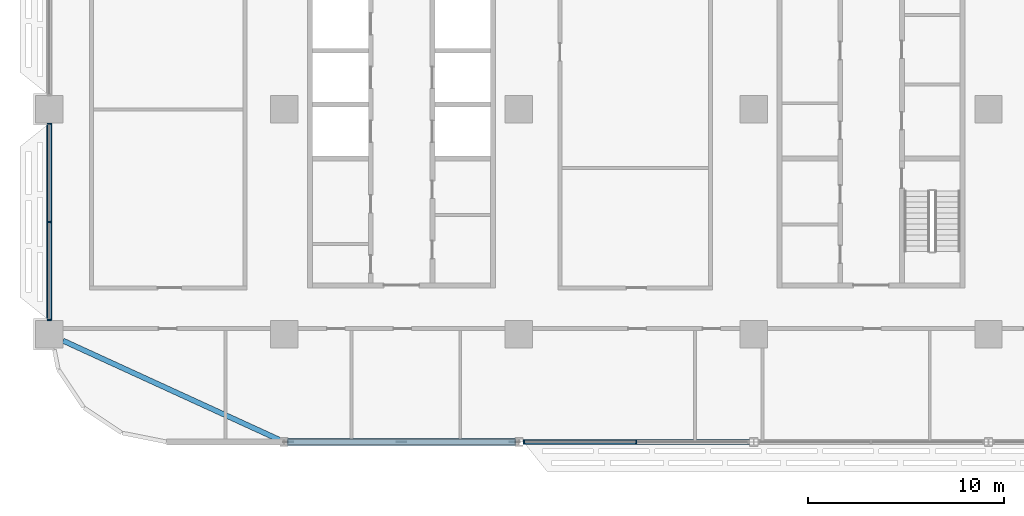
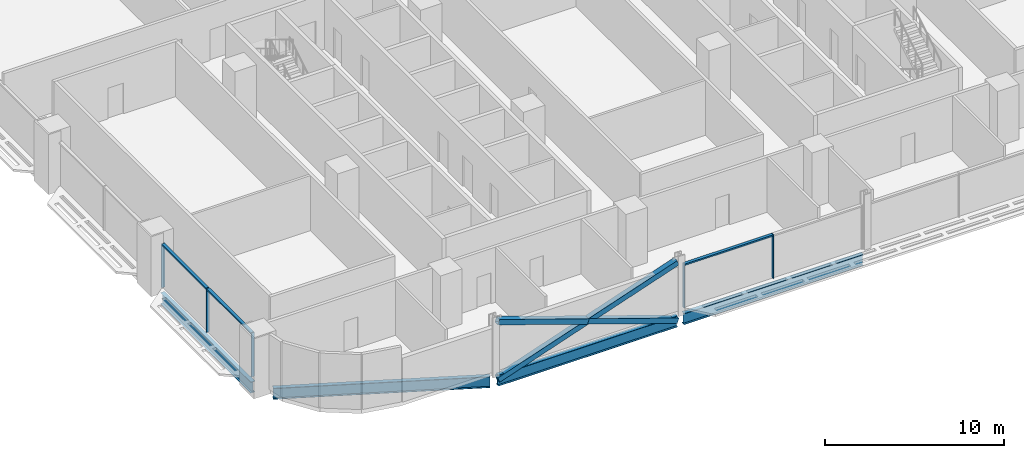
# One storey, part 3 of 29: 11 members, 4 beams, 2 elements without a shape of their own.
"""IFC4 building model written with IfcOpenShell, lengths in metres."""

from ifc_helpers import new_model, si_unit, direction, frame, origin, origin_2d, place, context, subcontext, project, spatial, rectangle, hollow_rectangle, i_section, extrude, material, material_profile, profile_set, type_object, element, aggregate, save


model = new_model("IFC4")

# Units and contexts
model_context = context("Model", 3, precision=1e-05, world=origin(), true_north=direction((0.0, 1.0)))
body_context = subcontext(model_context, "Body", "Model", "MODEL_VIEW")
ifc_project = project(units=[si_unit("LENGTHUNIT", "METRE"), si_unit("AREAUNIT", "SQUARE_METRE"), si_unit("VOLUMEUNIT", "CUBIC_METRE"), si_unit("PLANEANGLEUNIT", "RADIAN"), si_unit("MASSUNIT", "GRAM", prefix="KILO")], contexts=[model_context])

# Site, building, storey
site_placement = place(None, origin())
site = spatial("IfcSite", under=ifc_project, at=site_placement, CompositionType="ELEMENT")
building_placement = place(site_placement, origin())
building = spatial("IfcBuilding", under=site, at=building_placement, Name="Mahtab Terrace Research Tower", CompositionType="ELEMENT")
storey_placement = place(building_placement, frame((0.0, 0.0, 88.89990234375)))
storey = spatial("IfcBuildingStorey", under=building, at=storey_placement, Name="L20", CompositionType="ELEMENT", Elevation=88.89990234375)

# Members
ifc_material_1 = material(Name="Steel ASTM A500 Gr C", Category="steel")
ifc_material_profile_1 = material_profile(ifc_material_1, hollow_rectangle(XDim=0.355712890625, YDim=0.355712890625, WallThickness=0.01904296875, at=origin_2d()), Name="HSS14X14X3/4")
ifc_profile_set_1 = profile_set([ifc_material_profile_1], Name="Steel ASTM A500 Gr C")
member_type_1 = type_object("IfcMemberType", Name="HSS 14x14x3/4 brace XB141434", PredefinedType="BRACE", material=ifc_profile_set_1)
member_1_placement = place(storey_placement, frame((-29.79052734375, -17.0, -0.646728515625), z_axis=(0.946292853795, 0.0, 0.323310740397), x_axis=(0.0, 1.0, 0.0)))
element("IfcMember", 1, at=member_1_placement, inside=storey, type_object=member_type_1, Name="Exoskeleton brace L20 13 a", PredefinedType="BRACE", context=body_context, shape_type="SweptSolid", body=[
    extrude(hollow_rectangle(XDim=0.355712890625, YDim=0.355712890625, WallThickness=0.01904296875, at=origin_2d()), origin(), (0.0, 0.0, 1.0), 12.23828125),
])
for number, where, z_axis, x_axis, name in (
    (2, (-18.20947265625, -17.0, -0.646728515625), (-0.946298956945, 0.0, 0.323292876639), (0.0, -1.0, 0.0), "Exoskeleton brace L20 13 b1"),
    (3, (-24.0, -17.0, 1.33154296875), (-0.946286750388, 0.0, 0.323328603809), (0.0, -1.0, 0.0), "Exoskeleton brace L20 13 b2"),
):
    element("IfcMember", number, at=place(storey_placement, frame(where, z_axis=z_axis, x_axis=x_axis)), inside=storey, type_object=member_type_1, Name=name, PredefinedType="BRACE", context=body_context, shape_type="SweptSolid", body=[
        extrude(hollow_rectangle(XDim=0.355712890625, YDim=0.355712890625, WallThickness=0.01904296875, at=origin_2d()), origin(), (0.0, 0.0, 1.0), 6.119140625),
    ])

# Curtain wall, members
ifc_material_2 = material(Name="Laboratory ribbon curtain wall")
curtain_wall_type = type_object("IfcCurtainWallType", Name="Laboratory ribbon curtain wall", PredefinedType="NOTDEFINED", material=ifc_material_2)
curtain_wall_1_placement = place(storey_placement, origin())
curtain_wall_1 = element("IfcCurtainWall", 4, at=curtain_wall_1_placement, inside=storey, type_object=curtain_wall_type, Name="EN.L20.8.18", PredefinedType="NOTDEFINED")
ifc_material_3 = material(Name="Natural anodised aluminium", Category="aluminium")
ifc_material_profile_2 = material_profile(ifc_material_3, rectangle(XDim=0.199951171875, YDim=0.06494140625, at=origin_2d()), Name="MULLION 65x200")
ifc_profile_set_2 = profile_set([ifc_material_profile_2], Name="Natural anodised aluminium")
member_type_2 = type_object("IfcMemberType", Name="Laboratory ribbon curtain wall mullion", PredefinedType="MULLION", material=ifc_profile_set_2)
member_2_placement = place(storey_placement, frame((-42.0, -0.732421875, 0.0), z_axis=(0.0, 0.0, 1.0), x_axis=(1.0, 0.0, 0.0)))
member_2 = element("IfcMember", 5, at=member_2_placement, type_object=member_type_2, Name="CWL-3 mullion 1", PredefinedType="MULLION", context=body_context, shape_type="SweptSolid", body=[
    extrude(rectangle(XDim=0.199951171875, YDim=0.06494140625, at=origin_2d()), origin(), (0.0, 0.0, 1.0), 3.003173828125),
])
member_3_placement = place(storey_placement, frame((-42.0, -5.75, 0.0), z_axis=(0.0, 0.0, 1.0), x_axis=(1.0, 0.0, 0.0)))
member_3 = element("IfcMember", 6, at=member_3_placement, type_object=member_type_2, Name="CWL-3 mullion 2", PredefinedType="MULLION", context=body_context, shape_type="SweptSolid", body=[
    extrude(rectangle(XDim=0.199951171875, YDim=0.06494140625, at=origin_2d()), origin(), (0.0, 0.0, 1.0), 3.003173828125),
])
member_4_placement = place(storey_placement, frame((-42.0, -10.767578125, 0.0), z_axis=(0.0, 0.0, 1.0), x_axis=(1.0, 0.0, 0.0)))
member_4 = element("IfcMember", 7, at=member_4_placement, type_object=member_type_2, Name="CWL-3 mullion 3", PredefinedType="MULLION", context=body_context, shape_type="SweptSolid", body=[
    extrude(rectangle(XDim=0.199951171875, YDim=0.06494140625, at=origin_2d()), origin(), (0.0, 0.0, 1.0), 3.003173828125),
])

curtain_wall_2_placement = place(storey_placement, origin())
curtain_wall_2 = element("IfcCurtainWall", 8, at=curtain_wall_2_placement, inside=storey, type_object=curtain_wall_type, Name="EN.L20.13.25", PredefinedType="NOTDEFINED")
member_5_placement = place(storey_placement, frame((-17.739501953125, -17.0, 0.0), z_axis=(0.0, 0.0, 1.0), x_axis=(0.0, 1.0, 0.0)))
member_5 = element("IfcMember", 9, at=member_5_placement, type_object=member_type_2, Name="CWL-3 mullion 1", PredefinedType="MULLION", context=body_context, shape_type="SweptSolid", body=[
    extrude(rectangle(XDim=0.199951171875, YDim=0.06494140625, at=origin_2d()), origin(), (0.0, 0.0, 1.0), 3.003173828125),
])
member_6_placement = place(storey_placement, frame((-12.0, -17.0, 0.0), z_axis=(0.0, 0.0, 1.0), x_axis=(0.0, 1.0, 0.0)))
member_6 = element("IfcMember", 10, at=member_6_placement, type_object=member_type_2, Name="CWL-3 mullion 2", PredefinedType="MULLION", context=body_context, shape_type="SweptSolid", body=[
    extrude(rectangle(XDim=0.199951171875, YDim=0.06494140625, at=origin_2d()), origin(), (0.0, 0.0, 1.0), 3.003173828125),
])

# Member
ifc_material_profile_3 = material_profile(ifc_material_3, rectangle(XDim=0.199951171875, YDim=0.10009765625, at=origin_2d()), Name="TRANSOM 100x200")
ifc_profile_set_3 = profile_set([ifc_material_profile_3], Name="Natural anodised aluminium")
member_type_3 = type_object("IfcMemberType", Name="Laboratory ribbon curtain wall transom", PredefinedType="USERDEFINED", material=ifc_profile_set_3)
member_7_placement = place(storey_placement, frame((-42.0, -0.764892578125, 2.953125), z_axis=(0.0, -1.0, 0.0), x_axis=(1.0, 0.0, 0.0)))
member_7 = element("IfcMember", 11, at=member_7_placement, type_object=member_type_3, Name="CWL-3 transom 1", ObjectType="TRANSOM", PredefinedType="USERDEFINED", context=body_context, shape_type="SweptSolid", body=[
    extrude(rectangle(XDim=0.199951171875, YDim=0.10009765625, at=origin_2d()), origin(), (0.0, 0.0, 1.0), 4.95263671875),
])

member_8_placement = place(storey_placement, frame((-42.0, -5.782470703125, 2.953125), z_axis=(0.0, -1.0, 0.0), x_axis=(1.0, 0.0, 0.0)))
member_8 = element("IfcMember", 12, at=member_8_placement, type_object=member_type_3, Name="CWL-3 transom 2", ObjectType="TRANSOM", PredefinedType="USERDEFINED", context=body_context, shape_type="SweptSolid", body=[
    extrude(rectangle(XDim=0.199951171875, YDim=0.10009765625, at=origin_2d()), origin(), (0.0, 0.0, 1.0), 4.95263671875),
])

aggregate(curtain_wall_1, [member_2, member_3, member_4, member_7, member_8])

member_9_placement = place(storey_placement, frame((-17.70703125, -17.0, 2.953125), z_axis=(1.0, 0.0, 0.0), x_axis=(0.0, 1.0, 0.0)))
member_9 = element("IfcMember", 13, at=member_9_placement, type_object=member_type_3, Name="CWL-3 transom 1", ObjectType="TRANSOM", PredefinedType="USERDEFINED", context=body_context, shape_type="SweptSolid", body=[
    extrude(rectangle(XDim=0.199951171875, YDim=0.10009765625, at=origin_2d()), origin(), (0.0, 0.0, 1.0), 5.674560546875),
])

aggregate(curtain_wall_2, [member_5, member_6, member_9])

# Beams
ifc_material_4 = material(Name="Steel ASTM A992 Gr 50", Category="steel")
ifc_material_profile_4 = material_profile(ifc_material_4, i_section(OverallWidth=0.2666015625, OverallDepth=0.7568359375, WebThickness=0.013916015625, FlangeThickness=0.019287109375, at=origin_2d()), Name="W30X108")
ifc_profile_set_4 = profile_set([ifc_material_profile_4], Name="Steel ASTM A992 Gr 50")
beam_type = type_object("IfcBeamType", Name="W30x108 beam BS30108", PredefinedType="BEAM", material=ifc_profile_set_4)
beam_1_placement = place(storey_placement, frame((-42.0, -0.699951171875, -0.71826171875), z_axis=(0.0, -1.0, 0.0), x_axis=(1.0, 0.0, 0.0)))
element("IfcBeam", 14, at=beam_1_placement, inside=storey, type_object=beam_type, Name="Spandrel beam L20 11", PredefinedType="BEAM", context=body_context, shape_type="SweptSolid", body=[
    extrude(i_section(OverallWidth=0.2666015625, OverallDepth=0.7568359375, WebThickness=0.013916015625, FlangeThickness=0.019287109375, at=origin_2d()), origin(), (0.0, 0.0, 1.0), 10.10009765625),
])
beam_2_placement = place(storey_placement, frame((-41.300048828125, -11.82080078125, -0.71826171875), z_axis=(0.909062612141, -0.41665953392, 0.0), x_axis=(0.41665953392, 0.909062612141, 0.0)))
element("IfcBeam", 15, at=beam_2_placement, inside=storey, type_object=beam_type, Name="Spandrel beam L20 12", PredefinedType="BEAM", context=body_context, shape_type="SweptSolid", body=[
    extrude(i_section(OverallWidth=0.2666015625, OverallDepth=0.7568359375, WebThickness=0.013916015625, FlangeThickness=0.019287109375, at=origin_2d()), origin(), (0.0, 0.0, 1.0), 12.199951171875),
])
for number, where, z_axis, x_axis, name in (
    (16, (-29.79052734375, -17.0, -0.71826171875), (1.0, 0.0, 0.0), (0.0, 1.0, 0.0), "Spandrel beam L20 13"),
    (17, (-17.79052734375, -17.0, -0.71826171875), (1.0, 0.0, 0.0), (0.0, 1.0, 0.0), "Spandrel beam L20 14"),
):
    element("IfcBeam", number, at=place(storey_placement, frame(where, z_axis=z_axis, x_axis=x_axis)), inside=storey, type_object=beam_type, Name=name, PredefinedType="BEAM", context=body_context, shape_type="SweptSolid", body=[
        extrude(i_section(OverallWidth=0.2666015625, OverallDepth=0.7568359375, WebThickness=0.013916015625, FlangeThickness=0.019287109375, at=origin_2d()), origin(), (0.0, 0.0, 1.0), 11.5810546875),
    ])

save(model, "model.ifc")
